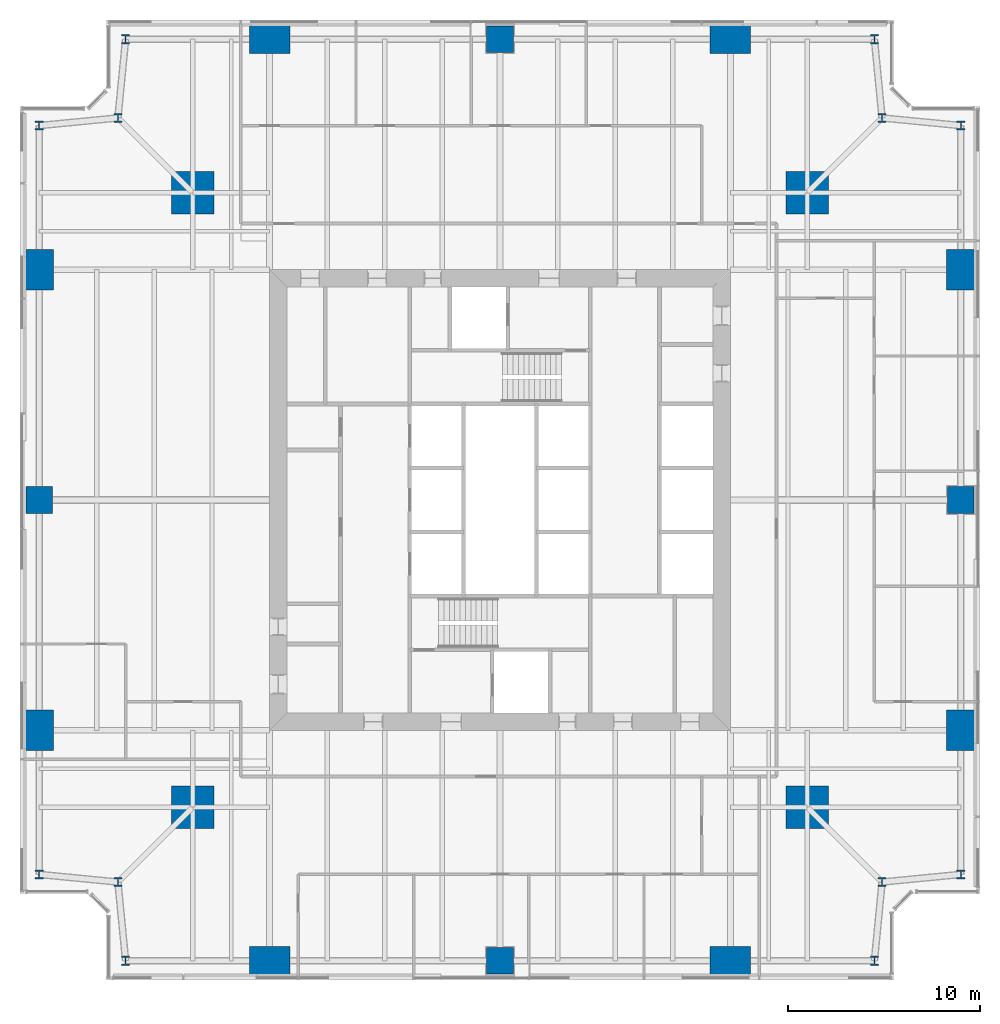
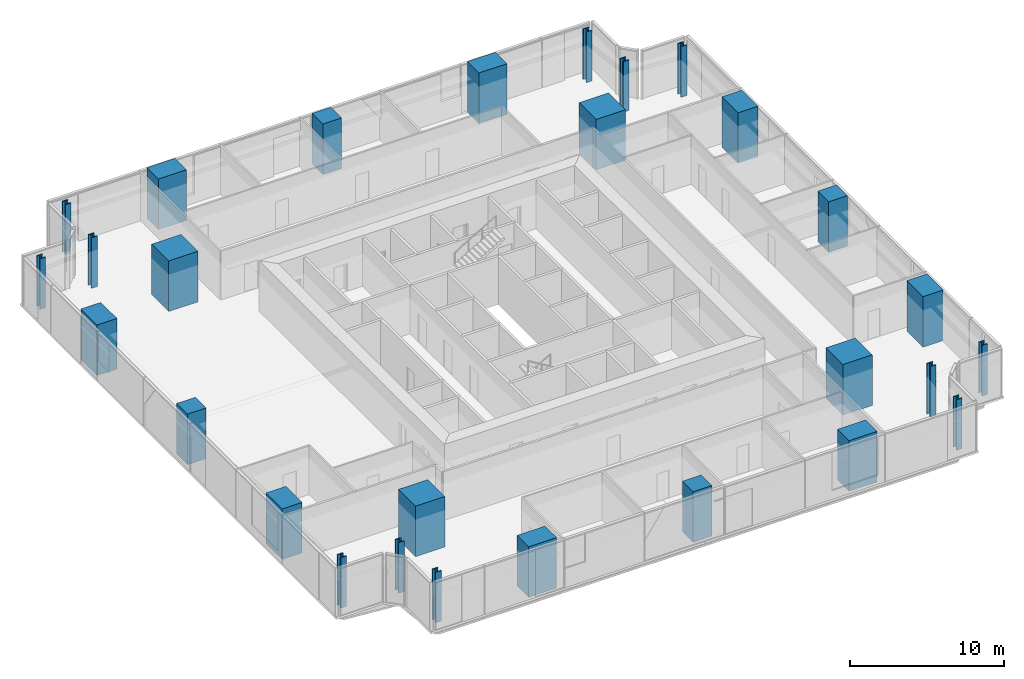
# One storey, part 1 of 13: 28 columns.
"""IFC4 building model written with IfcOpenShell, lengths in metres."""

import ifcopenshell
import ifcopenshell.guid

model = None  # the IFC model being written
_history = None  # IfcOwnerHistory: only IFC2X3 demands one
_inside = {}  # id of a spatial element -> (the spatial element, [elements in it])
_under = {}  # id of a project, library or spatial element -> (it, [spatial elements below it])
_declared = {}  # id of a project -> (the project, [libraries it declares])
_typed = {}  # id of a type object -> (the type object, [elements of that type])
_made_of = {}  # id of a material, layer set ... -> (it, [elements and type objects made of it])


def new_model(schema):
    """Start an empty IFC model of exactly this schema.

    Asked for "IFC4X3", IfcOpenShell would pick the latest addendum, in which some entities
    have other attributes; the version numbers below select the first issue.
    IFC2X3 requires an IfcOwnerHistory on every rooted entity: one is made here for all.
    """
    global model, _history
    if schema == "IFC4X3":
        model = ifcopenshell.file(schema_version=(4, 3, 0, 0))
    else:
        model = ifcopenshell.file(schema=schema)
    _inside.clear()
    _under.clear()
    _declared.clear()
    _typed.clear()
    _made_of.clear()
    _history = None
    if model.schema == "IFC2X3":
        org = make("IfcOrganization", Name="unknown")
        user = make(
            "IfcPersonAndOrganization",
            ThePerson=make("IfcPerson", FamilyName="unknown"),
            TheOrganization=org,
        )
        app = make(
            "IfcApplication",
            ApplicationDeveloper=org,
            Version="unknown",
            ApplicationFullName="unknown",
            ApplicationIdentifier="unknown",
        )
        _history = make(
            "IfcOwnerHistory",
            OwningUser=user,
            OwningApplication=app,
            ChangeAction="ADDED",
            CreationDate=0,
        )
    return model


def make(cls, **values):
    """One entity of the class cls with the attributes given. An attribute that is None is left unset."""
    return model.create_entity(
        cls, **{name: value for name, value in values.items() if value is not None}
    )


def rooted(cls, **values):
    """An entity with a GlobalId (a new one), such as an element, a storey or a relation."""
    return make(cls, GlobalId=ifcopenshell.guid.new(), OwnerHistory=_history, **values)


def si_unit(unit_type, name, prefix=None):
    """IfcSIUnit, for example si_unit("LENGTHUNIT", "METRE", prefix="MILLI")."""
    return make("IfcSIUnit", UnitType=unit_type, Prefix=prefix, Name=name)


def assignment(units):
    """IfcUnitAssignment: the units of a project."""
    return None if units is None else make("IfcUnitAssignment", Units=units)


def point(xyz):
    """IfcCartesianPoint."""
    return None if xyz is None else make("IfcCartesianPoint", Coordinates=xyz)


def direction(xyz):
    """IfcDirection."""
    return None if xyz is None else make("IfcDirection", DirectionRatios=xyz)


def frame(location, z_axis=None, x_axis=None):
    """IfcAxis2Placement3D, a coordinate frame: its origin and axes. An axis left out is left unset."""
    return make(
        "IfcAxis2Placement3D",
        Location=point(location),
        Axis=direction(z_axis),
        RefDirection=direction(x_axis),
    )


def frame_2d(location, x_axis=None):
    """IfcAxis2Placement2D, a coordinate frame in the plane: its origin and x axis."""
    return make(
        "IfcAxis2Placement2D", Location=point(location), RefDirection=direction(x_axis)
    )


def origin():
    """The frame at (0, 0, 0) with its axes left unset."""
    return frame((0.0, 0.0, 0.0))


def origin_2d():
    """The frame at (0, 0) in the plane with its x axis left unset."""
    return frame_2d((0.0, 0.0))


def place(relative_to, where):
    """IfcLocalPlacement: puts the frame where relative to a parent placement (None: the world)."""
    return make(
        "IfcLocalPlacement", PlacementRelTo=relative_to, RelativePlacement=where
    )


def context(
    kind, dimensions, precision=None, world=None, true_north=None, identifier=None
):
    """IfcGeometricRepresentationContext, for example the 3D "Model" context."""
    return make(
        "IfcGeometricRepresentationContext",
        ContextIdentifier=identifier,
        ContextType=kind,
        CoordinateSpaceDimension=dimensions,
        Precision=precision,
        WorldCoordinateSystem=world,
        TrueNorth=true_north,
    )


def subcontext(parent, identifier, kind, view, scale=None):
    """IfcGeometricRepresentationSubContext, for example "Body" below "Model"."""
    return make(
        "IfcGeometricRepresentationSubContext",
        ContextIdentifier=identifier,
        ContextType=kind,
        ParentContext=parent,
        TargetScale=scale,
        TargetView=view,
    )


def project(units=None, contexts=None):
    """IfcProject with its units and contexts."""
    return rooted(
        "IfcProject",
        Name="project",
        RepresentationContexts=contexts,
        UnitsInContext=assignment(units),
    )


def spatial(cls, under=None, at=None, **own):
    """A site, building, storey or space (cls), placed at a placement, below another one or the project."""
    s = rooted(cls, ObjectPlacement=at, **own)
    if under is not None:
        _under.setdefault(under.id(), (under, []))[1].append(s)
    return s


def profile(cls, at=None, kind="AREA", **sizes):
    """A parametric profile (cls). Its sizes go by their IFC names, for example OverallWidth=200.0."""
    return make(cls, ProfileType=kind, Position=at, **sizes)


def rectangle(**sizes):
    """IfcRectangleProfileDef."""
    return profile("IfcRectangleProfileDef", **sizes)


def i_section(**sizes):
    """IfcIShapeProfileDef."""
    return profile("IfcIShapeProfileDef", **sizes)


def extrude(swept, where, along, depth):
    """IfcExtrudedAreaSolid: the profile swept, set in the frame where, extruded along a direction by depth."""
    return make(
        "IfcExtrudedAreaSolid",
        SweptArea=swept,
        Position=where,
        ExtrudedDirection=direction(along),
        Depth=depth,
    )


def shape(context_of_items, identifier, shape_type, items):
    """IfcShapeRepresentation: the items that make up one representation, for example the "Body"."""
    return make(
        "IfcShapeRepresentation",
        ContextOfItems=context_of_items,
        RepresentationIdentifier=identifier,
        RepresentationType=shape_type,
        Items=items,
    )


def material(Name=None, Category=None):
    """IfcMaterial."""
    return make("IfcMaterial", Name=Name, Category=Category)


def material_profile(
    of_material, cross_section, Name=None, Category=None, Priority=None
):
    """IfcMaterialProfile: a cross section and its material."""
    return make(
        "IfcMaterialProfile",
        Name=Name,
        Material=of_material,
        Profile=cross_section,
        Priority=Priority,
        Category=Category,
    )


def profile_set(profiles, Name=None, composite=None):
    """IfcMaterialProfileSet."""
    return make(
        "IfcMaterialProfileSet",
        Name=Name,
        MaterialProfiles=profiles,
        CompositeProfile=composite,
    )


def made_of(thing, what):
    """Note that an element or type object is made of a material, layer set ...; save() writes the relation."""
    if what is not None:
        _made_of.setdefault(what.id(), (what, []))[1].append(thing)
    return thing


def type_object(cls, material=None, **own):
    """A type object (cls), such as IfcWallType, which elements share."""
    return made_of(rooted(cls, **own), material)


def element(
    cls,
    number,
    at=None,
    inside=None,
    cuts=None,
    type_object=None,
    material=None,
    context=None,
    identifier="Body",
    shape_type=None,
    held_by="IfcProductDefinitionShape",
    body=None,
    shapes=None,
    **own,
):
    """One element of the class cls, such as IfcWall. Its Tag is "e" and its number.

    at: its placement. inside: the storey or other place that contains it. cuts: it is an
    opening in that element (IfcRelVoidsElement). A single representation is given by context,
    identifier, shape_type and body (its items); several are given by shapes. held_by: the class
    of the entity that holds the representations. save() writes the other relations.
    """
    e = rooted(cls, Tag="e%d" % number, ObjectPlacement=at, **own)
    if body is not None:
        shapes = [shape(context, identifier, shape_type, body)]
    if shapes is not None:
        e.Representation = make(held_by, Representations=shapes)
    if inside is not None:
        _inside.setdefault(inside.id(), (inside, []))[1].append(e)
    if cuts is not None:
        rooted(
            "IfcRelVoidsElement", RelatingBuildingElement=cuts, RelatedOpeningElement=e
        )
    if type_object is not None:
        _typed.setdefault(type_object.id(), (type_object, []))[1].append(e)
    return made_of(e, material)


def aggregate(whole, parts):
    """IfcRelAggregates: a whole, such as a stair, and the parts it consists of."""
    return rooted("IfcRelAggregates", RelatingObject=whole, RelatedObjects=parts)


def save(model, path):
    """Write the relations noted so far, then the file.

    IfcRelAggregates (storeys below a building ...), IfcRelContainedInSpatialStructure (elements
    in a storey), IfcRelDefinesByType, IfcRelAssociatesMaterial and IfcRelDeclares: one each for
    every whole, place, type object, material and project.
    """
    for whole, parts in _under.values():
        aggregate(whole, parts)
    for where, things in _inside.values():
        rooted(
            "IfcRelContainedInSpatialStructure",
            RelatedElements=things,
            RelatingStructure=where,
        )
    for kind, things in _typed.values():
        rooted("IfcRelDefinesByType", RelatedObjects=things, RelatingType=kind)
    for what, things in _made_of.values():
        rooted("IfcRelAssociatesMaterial", RelatedObjects=things, RelatingMaterial=what)
    for by, libraries in _declared.values():
        rooted("IfcRelDeclares", RelatingContext=by, RelatedDefinitions=libraries)
    model.write(path)


model = new_model("IFC4")

# Units and contexts
model_context = context("Model", 3, precision=1e-05, world=origin(), true_north=direction((0.0, 1.0)))
body_context = subcontext(model_context, "Body", "Model", "MODEL_VIEW")
ifc_project = project(units=[si_unit("LENGTHUNIT", "METRE"), si_unit("AREAUNIT", "SQUARE_METRE"), si_unit("VOLUMEUNIT", "CUBIC_METRE"), si_unit("PLANEANGLEUNIT", "RADIAN"), si_unit("MASSUNIT", "GRAM", prefix="KILO")], contexts=[model_context])

# Site, building, storey
site_placement = place(None, origin())
site = spatial("IfcSite", under=ifc_project, at=site_placement, CompositionType="ELEMENT")
building_placement = place(site_placement, origin())
building = spatial("IfcBuilding", under=site, at=building_placement, Name="Fenwick Lantern Interchange", CompositionType="ELEMENT")
storey_placement = place(building_placement, frame((0.0, 0.0, 102.39990234375)))
storey = spatial("IfcBuildingStorey", under=building, at=storey_placement, Name="L23", CompositionType="ELEMENT", Elevation=102.39990234375)

# Columns
ifc_material_1 = material(Name="Concrete f'c 70 MPa", Category="concrete")
ifc_material_profile_1 = material_profile(ifc_material_1, rectangle(XDim=2.199951171875, YDim=2.199951171875, at=origin_2d()), Name="RC2200X2200")
ifc_profile_set_1 = profile_set([ifc_material_profile_1], Name="Concrete f'c 70 MPa")
column_type_1 = type_object("IfcColumnType", Name="MEGA COLUMN RC2200X2200", PredefinedType="COLUMN", material=ifc_profile_set_1)
for number, where, z_axis, x_axis, name in (
    (1, (9.0, 9.0, 0.0), (0.0, 0.0, 1.0), (1.0, 0.0, 0.0), "L23/M1"),
    (2, (41.0, 9.0, 0.0), (0.0, 0.0, 1.0), (1.0, 0.0, 0.0), "L23/M2"),
    (3, (41.0, 41.0, 0.0), (0.0, 0.0, 1.0), (1.0, 0.0, 0.0), "L23/M3"),
    (4, (9.0, 41.0, 0.0), (0.0, 0.0, 1.0), (1.0, 0.0, 0.0), "L23/M4"),
):
    element("IfcColumn", number, at=place(storey_placement, frame(where, z_axis=z_axis, x_axis=x_axis)), inside=storey, type_object=column_type_1, Name=name, PredefinedType="COLUMN", context=body_context, shape_type="SweptSolid", body=[
        extrude(rectangle(XDim=2.199951171875, YDim=2.199951171875, at=origin_2d()), origin(), (0.0, 0.0, 1.0), 4.0),
    ])
ifc_material_profile_2 = material_profile(ifc_material_1, rectangle(XDim=1.39990234375, YDim=1.39990234375, at=origin_2d()), Name="RC1400X1400")
ifc_profile_set_2 = profile_set([ifc_material_profile_2], Name="Concrete f'c 70 MPa")
column_type_2 = type_object("IfcColumnType", Name="PERIMETER COLUMN RC1400X1400", PredefinedType="COLUMN", material=ifc_profile_set_2)
for number, where, z_axis, x_axis, name in (
    (5, (25.0, 1.0, 0.0), (0.0, 0.0, 1.0), (1.0, 0.0, 0.0), "L23/CS3"),
    (6, (49.0, 25.0, 0.0), (0.0, 0.0, 1.0), (1.0, 0.0, 0.0), "L23/CE3"),
    (7, (25.0, 49.0, 0.0), (0.0, 0.0, 1.0), (1.0, 0.0, 0.0), "L23/CN3"),
    (8, (1.0, 25.0, 0.0), (0.0, 0.0, 1.0), (1.0, 0.0, 0.0), "L23/CW3"),
):
    element("IfcColumn", number, at=place(storey_placement, frame(where, z_axis=z_axis, x_axis=x_axis)), inside=storey, type_object=column_type_2, Name=name, PredefinedType="COLUMN", context=body_context, shape_type="SweptSolid", body=[
        extrude(rectangle(XDim=1.39990234375, YDim=1.39990234375, at=origin_2d()), origin(), (0.0, 0.0, 1.0), 4.0),
    ])
ifc_material_profile_3 = material_profile(ifc_material_1, rectangle(XDim=1.5, YDim=2.10009765625, at=origin_2d()), Name="RC1500X2100")
ifc_profile_set_3 = profile_set([ifc_material_profile_3], Name="Concrete f'c 70 MPa")
column_type_3 = type_object("IfcColumnType", Name="PERIMETER COLUMN RC1500X2100", PredefinedType="COLUMN", material=ifc_profile_set_3)
for number, where, z_axis, x_axis, name in (
    (9, (49.0, 13.0, 0.0), (0.0, 0.0, 1.0), (1.0, 0.0, 0.0), "L23/CE2"),
    (10, (49.0, 37.0, 0.0), (0.0, 0.0, 1.0), (1.0, 0.0, 0.0), "L23/CE4"),
    (11, (1.0, 37.0, 0.0), (0.0, 0.0, 1.0), (1.0, 0.0, 0.0), "L23/CW2"),
    (12, (1.0, 13.0, 0.0), (0.0, 0.0, 1.0), (1.0, 0.0, 0.0), "L23/CW4"),
):
    element("IfcColumn", number, at=place(storey_placement, frame(where, z_axis=z_axis, x_axis=x_axis)), inside=storey, type_object=column_type_3, Name=name, PredefinedType="COLUMN", context=body_context, shape_type="SweptSolid", body=[
        extrude(rectangle(XDim=1.5, YDim=2.10009765625, at=origin_2d()), origin(), (0.0, 0.0, 1.0), 4.0),
    ])
ifc_material_profile_4 = material_profile(ifc_material_1, rectangle(XDim=2.10009765625, YDim=1.5, at=origin_2d()), Name="RC2100X1500")
ifc_profile_set_4 = profile_set([ifc_material_profile_4], Name="Concrete f'c 70 MPa")
column_type_4 = type_object("IfcColumnType", Name="PERIMETER COLUMN RC2100X1500", PredefinedType="COLUMN", material=ifc_profile_set_4)
for number, where, z_axis, x_axis, name in (
    (13, (13.0, 1.0, 0.0), (0.0, 0.0, 1.0), (1.0, 0.0, 0.0), "L23/CS2"),
    (14, (37.0, 1.0, 0.0), (0.0, 0.0, 1.0), (1.0, 0.0, 0.0), "L23/CS4"),
    (15, (37.0, 49.0, 0.0), (0.0, 0.0, 1.0), (1.0, 0.0, 0.0), "L23/CN2"),
    (16, (13.0, 49.0, 0.0), (0.0, 0.0, 1.0), (1.0, 0.0, 0.0), "L23/CN4"),
):
    element("IfcColumn", number, at=place(storey_placement, frame(where, z_axis=z_axis, x_axis=x_axis)), inside=storey, type_object=column_type_4, Name=name, PredefinedType="COLUMN", context=body_context, shape_type="SweptSolid", body=[
        extrude(rectangle(XDim=2.10009765625, YDim=1.5, at=origin_2d()), origin(), (0.0, 0.0, 1.0), 4.0),
    ])
ifc_material_2 = material(Name="Steel ASTM A992 Grade 50", Category="steel")
ifc_material_profile_5 = material_profile(ifc_material_2, i_section(OverallWidth=0.424072265625, OverallDepth=0.47509765625, WebThickness=0.0478515625, FlangeThickness=0.0771484375, at=origin_2d()), Name="W14X426")
ifc_profile_set_5 = profile_set([ifc_material_profile_5], Name="Steel ASTM A992 Grade 50")
column_type_5 = type_object("IfcColumnType", Name="PERIMETER COLUMN W14X426", PredefinedType="COLUMN", material=ifc_profile_set_5)
for number, where, z_axis, x_axis, name in (
    (17, (5.5, 1.0, 0.0), (0.0, 0.0, 1.0), (1.0, 0.0, 0.0), "L23/CS1"),
    (18, (44.5, 1.0, 0.0), (0.0, 0.0, 1.0), (1.0, 0.0, 0.0), "L23/CS5"),
    (19, (44.89990234375, 5.10009765625, 0.0), (0.0, 0.0, 1.0), (1.0, 0.0, 0.0), "L23/CSR"),
    (20, (49.0, 5.5, 0.0), (0.0, 0.0, 1.0), (1.0, 0.0, 0.0), "L23/CE1"),
    (21, (49.0, 44.5, 0.0), (0.0, 0.0, 1.0), (1.0, 0.0, 0.0), "L23/CE5"),
    (22, (44.89990234375, 44.89990234375, 0.0), (0.0, 0.0, 1.0), (1.0, 0.0, 0.0), "L23/CER"),
    (23, (44.5, 49.0, 0.0), (0.0, 0.0, 1.0), (1.0, 0.0, 0.0), "L23/CN1"),
    (24, (5.5, 49.0, 0.0), (0.0, 0.0, 1.0), (1.0, 0.0, 0.0), "L23/CN5"),
    (25, (5.10009765625, 44.89990234375, 0.0), (0.0, 0.0, 1.0), (1.0, 0.0, 0.0), "L23/CNR"),
    (26, (1.0, 44.5, 0.0), (0.0, 0.0, 1.0), (1.0, 0.0, 0.0), "L23/CW1"),
    (27, (1.0, 5.5, 0.0), (0.0, 0.0, 1.0), (1.0, 0.0, 0.0), "L23/CW5"),
    (28, (5.10009765625, 5.10009765625, 0.0), (0.0, 0.0, 1.0), (1.0, 0.0, 0.0), "L23/CWR"),
):
    element("IfcColumn", number, at=place(storey_placement, frame(where, z_axis=z_axis, x_axis=x_axis)), inside=storey, type_object=column_type_5, Name=name, PredefinedType="COLUMN", context=body_context, shape_type="SweptSolid", body=[
        extrude(i_section(OverallWidth=0.424072265625, OverallDepth=0.47509765625, WebThickness=0.0478515625, FlangeThickness=0.0771484375, at=origin_2d()), origin(), (0.0, 0.0, 1.0), 4.0),
    ])

save(model, "model.ifc")
